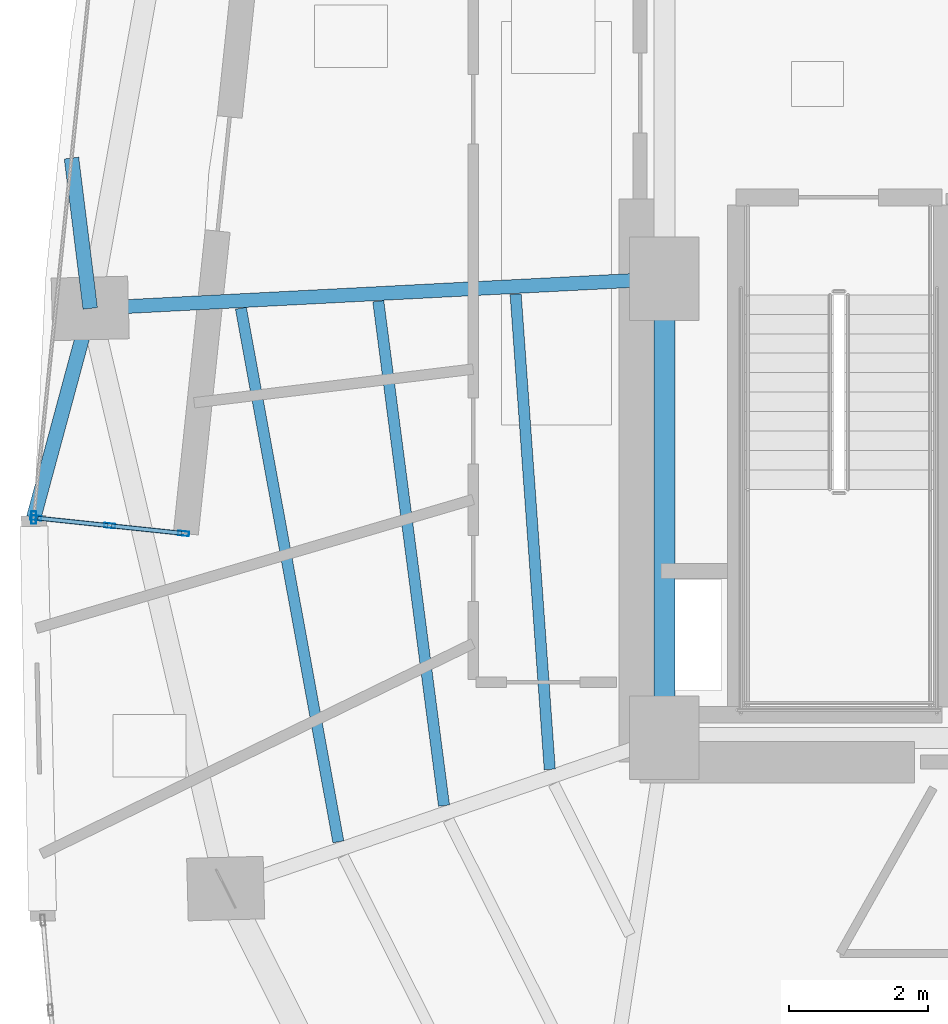
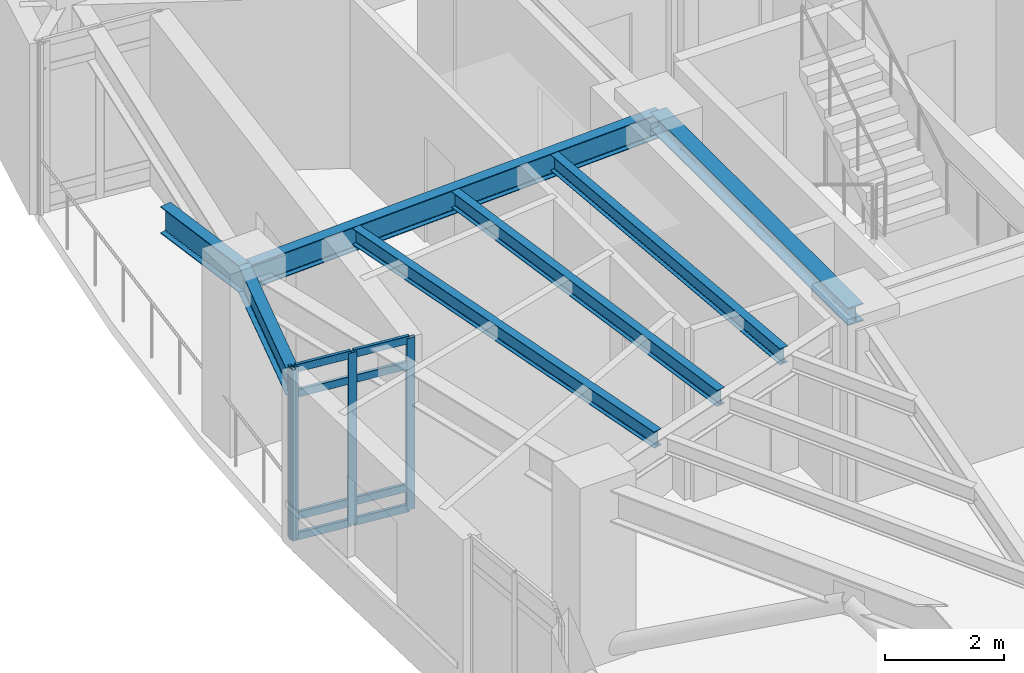
# One storey, part 4 of 16: 12 members, 7 beams, 1 element without a shape of its own.
"""IFC4 building model written with IfcOpenShell, lengths in metres."""

from ifc_helpers import new_model, si_unit, direction, frame, origin, origin_2d, place, context, subcontext, project, spatial, hollow_rectangle, i_section, extrude, material, layer, layer_set, material_profile, profile_set, type_object, element, aggregate, save


model = new_model("IFC4")

# Units and contexts
model_context = context("Model", 3, precision=1e-05, world=origin(), true_north=direction((0.0, 1.0)))
body_context = subcontext(model_context, "Body", "Model", "MODEL_VIEW")
ifc_project = project(units=[si_unit("LENGTHUNIT", "METRE"), si_unit("AREAUNIT", "SQUARE_METRE"), si_unit("VOLUMEUNIT", "CUBIC_METRE"), si_unit("PLANEANGLEUNIT", "RADIAN"), si_unit("MASSUNIT", "GRAM", prefix="KILO")], contexts=[model_context])

# Site, building, storey
site_placement = place(None, origin())
site = spatial("IfcSite", under=ifc_project, at=site_placement, CompositionType="ELEMENT")
building_placement = place(site_placement, origin())
building = spatial("IfcBuilding", under=site, at=building_placement, Name="Ndelora Gate Hotel", CompositionType="ELEMENT")
storey_placement = place(building_placement, frame((0.0, 0.0, 97.25)))
storey = spatial("IfcBuildingStorey", under=building, at=storey_placement, Name="L23", CompositionType="ELEMENT", Elevation=97.25)

# Beams
ifc_material_1 = material(Name="Steel S355", Category="steel")
ifc_material_profile_1 = material_profile(ifc_material_1, i_section(OverallWidth=0.300048828125, OverallDepth=0.360107421875, WebThickness=0.012451171875, FlangeThickness=0.0224609375, FilletRadius=0.027099609375, at=origin_2d()), Name="HEB 360")
ifc_profile_set_1 = profile_set([ifc_material_profile_1], Name="Steel S355")
beam_type_1 = type_object("IfcBeamType", Name="BM-CORE-360", PredefinedType="BEAM", material=ifc_profile_set_1)
beam_1_placement = place(storey_placement, frame((-8.0, -6.60009765625, 3.320068359375), z_axis=(0.0, 1.0, 0.0), x_axis=(-1.0, 0.0, 0.0)))
element("IfcBeam", 1, at=beam_1_placement, inside=storey, type_object=beam_type_1, Name="L23 Core Tie Girder CC1-CC8", PredefinedType="BEAM", context=body_context, shape_type="SweptSolid", body=[
    extrude(i_section(OverallWidth=0.300048828125, OverallDepth=0.360107421875, WebThickness=0.012451171875, FlangeThickness=0.0224609375, FilletRadius=0.027099609375, at=origin_2d()), origin(), (0.0, 0.0, 1.0), 6.60009765625),
])
ifc_material_profile_2 = material_profile(ifc_material_1, i_section(OverallWidth=0.159912109375, OverallDepth=0.330078125, WebThickness=0.007568359375, FlangeThickness=0.011474609375, FilletRadius=0.01806640625, at=origin_2d()), Name="IPE 330")
ifc_profile_set_2 = profile_set([ifc_material_profile_2], Name="Steel S355")
beam_type_2 = type_object("IfcBeamType", Name="BM-JST-330", PredefinedType="JOIST", material=ifc_profile_set_2)
beam_2_placement = place(storey_placement, frame((-10.138427734375, -0.220458984375, 3.3349609375), z_axis=(0.07162945927, -0.997431311201, 0.0), x_axis=(0.997431311201, 0.07162945927, 0.0)))
element("IfcBeam", 2, at=beam_2_placement, inside=storey, type_object=beam_type_2, Name="L23 Secondary Composite Floor Joist IN-3", PredefinedType="JOIST", context=body_context, shape_type="SweptSolid", body=[
    extrude(i_section(OverallWidth=0.159912109375, OverallDepth=0.330078125, WebThickness=0.007568359375, FlangeThickness=0.011474609375, FilletRadius=0.01806640625, at=origin_2d()), origin(), (0.0, 0.0, 1.0), 6.850830078125),
])
beam_3_placement = place(storey_placement, frame((-12.113525390625, -0.322021484375, 3.3349609375), z_axis=(0.12927924943, -0.991608226906, 0.0), x_axis=(0.991608226906, 0.12927924943, 0.0)))
element("IfcBeam", 3, at=beam_3_placement, inside=storey, type_object=beam_type_2, Name="L23 Secondary Composite Floor Joist MID-3", PredefinedType="JOIST", context=body_context, shape_type="SweptSolid", body=[
    extrude(i_section(OverallWidth=0.159912109375, OverallDepth=0.330078125, WebThickness=0.007568359375, FlangeThickness=0.011474609375, FilletRadius=0.01806640625, at=origin_2d()), origin(), (0.0, 0.0, 1.0), 7.31396484375),
])
beam_4_placement = place(storey_placement, frame((-14.089111328125, -0.423095703125, 3.3349609375), z_axis=(0.179733770179, -0.983715290039, 0.0), x_axis=(0.983715290039, 0.179733770179, 0.0)))
element("IfcBeam", 4, at=beam_4_placement, inside=storey, type_object=beam_type_2, Name="L23 Secondary Composite Floor Joist OUT-3", PredefinedType="JOIST", context=body_context, shape_type="SweptSolid", body=[
    extrude(i_section(OverallWidth=0.159912109375, OverallDepth=0.330078125, WebThickness=0.007568359375, FlangeThickness=0.011474609375, FilletRadius=0.01806640625, at=origin_2d()), origin(), (0.0, 0.0, 1.0), 7.799560546875),
])
ifc_material_profile_3 = material_profile(ifc_material_1, i_section(OverallWidth=0.199951171875, OverallDepth=0.5, WebThickness=0.01025390625, FlangeThickness=0.01611328125, FilletRadius=0.02099609375, at=origin_2d()), Name="IPE 500")
ifc_profile_set_3 = profile_set([ifc_material_profile_3], Name="Steel S355")
beam_type_3 = type_object("IfcBeamType", Name="BM-RAD-500", PredefinedType="BEAM", material=ifc_profile_set_3)
beam_5_placement = place(storey_placement, frame((-8.0, 0.0, 3.25), z_axis=(-0.998672591881, -0.051507807424, 0.0), x_axis=(0.051507807424, -0.998672591881, 0.0)))
element("IfcBeam", 5, at=beam_5_placement, inside=storey, type_object=beam_type_3, Name="L23 Radial Floor Girder 3", PredefinedType="BEAM", context=body_context, shape_type="SweptSolid", body=[
    extrude(i_section(OverallWidth=0.199951171875, OverallDepth=0.5, WebThickness=0.01025390625, FlangeThickness=0.01611328125, FilletRadius=0.02099609375, at=origin_2d()), origin(), (0.0, 0.0, 1.0), 8.266357421875),
])
ifc_material_profile_4 = material_profile(ifc_material_1, i_section(OverallWidth=0.2099609375, OverallDepth=0.550048828125, WebThickness=0.010986328125, FlangeThickness=0.01708984375, FilletRadius=0.02392578125, at=origin_2d()), Name="IPE 550")
ifc_profile_set_4 = profile_set([ifc_material_profile_4], Name="Steel S355")
beam_type_4 = type_object("IfcBeamType", Name="BM-RAD-550", PredefinedType="BEAM", material=ifc_profile_set_4)
beam_6_placement = place(storey_placement, frame((-16.25537109375, -0.42578125, 3.22509765625), z_axis=(-0.123565930273, 0.992336364786, 0.0), x_axis=(-0.992336364786, -0.123565930273, 0.0)))
element("IfcBeam", 6, at=beam_6_placement, inside=storey, type_object=beam_type_4, Name="L23 Sky-Garden Loggia Column Bracket 2", PredefinedType="BEAM", context=body_context, shape_type="SweptSolid", body=[
    extrude(i_section(OverallWidth=0.2099609375, OverallDepth=0.550048828125, WebThickness=0.010986328125, FlangeThickness=0.01708984375, FilletRadius=0.02392578125, at=origin_2d()), origin(), (0.0, 0.0, 1.0), 2.17919921875),
])
beam_7_placement = place(storey_placement, frame((-16.25537109375, -0.42578125, 3.22509765625), z_axis=(-0.260757109585, -0.965404438461, 0.0), x_axis=(0.965404438461, -0.260757109585, 0.0)))
element("IfcBeam", 7, at=beam_7_placement, inside=storey, type_object=beam_type_4, Name="L23 Sky-Garden Loggia Column Bracket 3", PredefinedType="BEAM", context=body_context, shape_type="SweptSolid", body=[
    extrude(i_section(OverallWidth=0.2099609375, OverallDepth=0.550048828125, WebThickness=0.010986328125, FlangeThickness=0.01708984375, FilletRadius=0.02392578125, at=origin_2d()), origin(), (0.0, 0.0, 1.0), 3.116943359375),
])

# Curtain wall, members
ifc_material_2 = material(Name="Bronze Anodised Unitised Aluminium and Low-E Glass", Category="aluminium")
ifc_layer = layer(ifc_material_2, 0.199951171875)
ifc_layer_set = layer_set([ifc_layer], Name="Bronze Anodised Unitised Aluminium and Low-E Glass")
curtain_wall_type = type_object("IfcCurtainWallType", Name="CW-SYS-3", PredefinedType="NOTDEFINED", material=ifc_layer_set)
curtain_wall_placement = place(storey_placement, origin())
curtain_wall = element("IfcCurtainWall", 8, at=curtain_wall_placement, inside=storey, type_object=curtain_wall_type, Name="L23 Sky-Garden Loggia Side Curtain Wall CW3-2", PredefinedType="NOTDEFINED")
ifc_material_3 = material(Name="Bronze Anodised Aluminium 6063-T6", Category="aluminium")
ifc_material_profile_5 = material_profile(ifc_material_3, hollow_rectangle(XDim=0.06494140625, YDim=0.159912109375, WallThickness=0.00390625, InnerFilletRadius=0.00390625, OuterFilletRadius=0.008056640625, at=origin_2d()), Name="ALU 160x65x4")
ifc_profile_set_5 = profile_set([ifc_material_profile_5], Name="Bronze Anodised Aluminium 6063-T6")
member_type_1 = type_object("IfcMemberType", Name="MB-CW-MUL150", PredefinedType="MULLION", material=ifc_profile_set_5)
member_1_placement = place(storey_placement, frame((-17.035888671875, -3.43798828125, -0.00390625), z_axis=(0.0, 0.0, 1.0), x_axis=(0.104547545416, 0.994519889569, 0.0)))
member_1 = element("IfcMember", 9, at=member_1_placement, type_object=member_type_1, Name="CW3 mullion 1", PredefinedType="MULLION", context=body_context, shape_type="SweptSolid", body=[
    extrude(hollow_rectangle(XDim=0.06494140625, YDim=0.159912109375, WallThickness=0.00390625, InnerFilletRadius=0.00390625, OuterFilletRadius=0.008056640625, at=origin_2d()), origin(), (0.0, 0.0, 1.0), 3.5078125),
])
member_2_placement = place(storey_placement, frame((-15.97412109375, -3.5498046875, -0.00390625), z_axis=(0.0, 0.0, 1.0), x_axis=(0.104547545416, 0.994519889569, 0.0)))
member_2 = element("IfcMember", 10, at=member_2_placement, type_object=member_type_1, Name="CW3 mullion 2", PredefinedType="MULLION", context=body_context, shape_type="SweptSolid", body=[
    extrude(hollow_rectangle(XDim=0.06494140625, YDim=0.159912109375, WallThickness=0.00390625, InnerFilletRadius=0.00390625, OuterFilletRadius=0.008056640625, at=origin_2d()), origin(), (0.0, 0.0, 1.0), 3.5078125),
])
member_3_placement = place(storey_placement, frame((-14.91259765625, -3.661376953125, -0.00390625), z_axis=(0.0, 0.0, 1.0), x_axis=(0.104547545416, 0.994519889569, 0.0)))
member_3 = element("IfcMember", 11, at=member_3_placement, type_object=member_type_1, Name="CW3 mullion 3", PredefinedType="MULLION", context=body_context, shape_type="SweptSolid", body=[
    extrude(hollow_rectangle(XDim=0.06494140625, YDim=0.159912109375, WallThickness=0.00390625, InnerFilletRadius=0.00390625, OuterFilletRadius=0.008056640625, at=origin_2d()), origin(), (0.0, 0.0, 1.0), 3.5078125),
])
ifc_material_profile_6 = material_profile(ifc_material_3, hollow_rectangle(XDim=0.070068359375, YDim=0.179931640625, WallThickness=0.0048828125, InnerFilletRadius=0.0048828125, OuterFilletRadius=0.010009765625, at=origin_2d()), Name="ALU 180x70x5")
ifc_profile_set_6 = profile_set([ifc_material_profile_6], Name="Bronze Anodised Aluminium 6063-T6")
member_type_2 = type_object("IfcMemberType", Name="MB-CW-MUL180", PredefinedType="MULLION", material=ifc_profile_set_6)
member_4_placement = place(storey_placement, frame((-17.068115234375, -3.434814453125, 0.0), z_axis=(0.0, 0.0, 1.0), x_axis=(1.0, 0.0, 0.0)))
member_4 = element("IfcMember", 12, at=member_4_placement, type_object=member_type_2, Name="L23 Sky-Garden Loggia Corner Mullion Post 2", PredefinedType="MULLION", context=body_context, shape_type="SweptSolid", body=[
    extrude(hollow_rectangle(XDim=0.070068359375, YDim=0.179931640625, WallThickness=0.0048828125, InnerFilletRadius=0.0048828125, OuterFilletRadius=0.010009765625, at=origin_2d()), origin(), (0.0, 0.0, 1.0), 3.5),
])
ifc_material_profile_7 = material_profile(ifc_material_3, hollow_rectangle(XDim=0.06494140625, YDim=0.159912109375, WallThickness=0.00390625, InnerFilletRadius=0.00390625, OuterFilletRadius=0.008056640625, at=origin_2d()), Name="ALU 160x65x4")
ifc_profile_set_7 = profile_set([ifc_material_profile_7], Name="Bronze Anodised Aluminium 6063-T6")
member_type_3 = type_object("IfcMemberType", Name="MB-CW-TRN150", PredefinedType="USERDEFINED", material=ifc_profile_set_7)
member_5_placement = place(storey_placement, frame((-17.009521484375, -3.44091796875, 0.032470703125), z_axis=(0.994531791991, -0.104434260277, 0.0), x_axis=(0.104434260277, 0.994531791991, 0.0)))
member_5 = element("IfcMember", 13, at=member_5_placement, type_object=member_type_3, Name="CW3 transom 1.1", ObjectType="TRANSOM", PredefinedType="USERDEFINED", context=body_context, shape_type="SweptSolid", body=[
    extrude(hollow_rectangle(XDim=0.06494140625, YDim=0.159912109375, WallThickness=0.00390625, InnerFilletRadius=0.00390625, OuterFilletRadius=0.008056640625, at=origin_2d()), origin(), (0.0, 0.0, 1.0), 1.0146484375),
])
member_6_placement = place(storey_placement, frame((-17.009521484375, -3.44091796875, 0.449951171875), z_axis=(0.994531791991, -0.104434260277, 0.0), x_axis=(0.104434260277, 0.994531791991, 0.0)))
member_6 = element("IfcMember", 14, at=member_6_placement, type_object=member_type_3, Name="CW3 transom 1.2", ObjectType="TRANSOM", PredefinedType="USERDEFINED", context=body_context, shape_type="SweptSolid", body=[
    extrude(hollow_rectangle(XDim=0.06494140625, YDim=0.159912109375, WallThickness=0.00390625, InnerFilletRadius=0.00390625, OuterFilletRadius=0.008056640625, at=origin_2d()), origin(), (0.0, 0.0, 1.0), 1.0146484375),
])
member_7_placement = place(storey_placement, frame((-17.009521484375, -3.44091796875, 2.949951171875), z_axis=(0.994531791991, -0.104434260277, 0.0), x_axis=(0.104434260277, 0.994531791991, 0.0)))
member_7 = element("IfcMember", 15, at=member_7_placement, type_object=member_type_3, Name="CW3 transom 1.3", ObjectType="TRANSOM", PredefinedType="USERDEFINED", context=body_context, shape_type="SweptSolid", body=[
    extrude(hollow_rectangle(XDim=0.06494140625, YDim=0.159912109375, WallThickness=0.00390625, InnerFilletRadius=0.00390625, OuterFilletRadius=0.008056640625, at=origin_2d()), origin(), (0.0, 0.0, 1.0), 1.0146484375),
])
member_8_placement = place(storey_placement, frame((-17.009521484375, -3.44091796875, 3.467529296875), z_axis=(0.994531791991, -0.104434260277, 0.0), x_axis=(0.104434260277, 0.994531791991, 0.0)))
member_8 = element("IfcMember", 16, at=member_8_placement, type_object=member_type_3, Name="CW3 transom 1.4", ObjectType="TRANSOM", PredefinedType="USERDEFINED", context=body_context, shape_type="SweptSolid", body=[
    extrude(hollow_rectangle(XDim=0.06494140625, YDim=0.159912109375, WallThickness=0.00390625, InnerFilletRadius=0.00390625, OuterFilletRadius=0.008056640625, at=origin_2d()), origin(), (0.0, 0.0, 1.0), 1.0146484375),
])
member_9_placement = place(storey_placement, frame((-15.94775390625, -3.552490234375, 0.032470703125), z_axis=(0.994529166593, -0.104459259027, 0.0), x_axis=(0.104459259027, 0.994529166593, 0.0)))
member_9 = element("IfcMember", 17, at=member_9_placement, type_object=member_type_3, Name="CW3 transom 2.1", ObjectType="TRANSOM", PredefinedType="USERDEFINED", context=body_context, shape_type="SweptSolid", body=[
    extrude(hollow_rectangle(XDim=0.06494140625, YDim=0.159912109375, WallThickness=0.00390625, InnerFilletRadius=0.00390625, OuterFilletRadius=0.008056640625, at=origin_2d()), origin(), (0.0, 0.0, 1.0), 1.014404296875),
])
member_10_placement = place(storey_placement, frame((-15.94775390625, -3.552490234375, 0.449951171875), z_axis=(0.994529166593, -0.104459259027, 0.0), x_axis=(0.104459259027, 0.994529166593, 0.0)))
member_10 = element("IfcMember", 18, at=member_10_placement, type_object=member_type_3, Name="CW3 transom 2.2", ObjectType="TRANSOM", PredefinedType="USERDEFINED", context=body_context, shape_type="SweptSolid", body=[
    extrude(hollow_rectangle(XDim=0.06494140625, YDim=0.159912109375, WallThickness=0.00390625, InnerFilletRadius=0.00390625, OuterFilletRadius=0.008056640625, at=origin_2d()), origin(), (0.0, 0.0, 1.0), 1.014404296875),
])
member_11_placement = place(storey_placement, frame((-15.94775390625, -3.552490234375, 2.949951171875), z_axis=(0.994529166593, -0.104459259027, 0.0), x_axis=(0.104459259027, 0.994529166593, 0.0)))
member_11 = element("IfcMember", 19, at=member_11_placement, type_object=member_type_3, Name="CW3 transom 2.3", ObjectType="TRANSOM", PredefinedType="USERDEFINED", context=body_context, shape_type="SweptSolid", body=[
    extrude(hollow_rectangle(XDim=0.06494140625, YDim=0.159912109375, WallThickness=0.00390625, InnerFilletRadius=0.00390625, OuterFilletRadius=0.008056640625, at=origin_2d()), origin(), (0.0, 0.0, 1.0), 1.014404296875),
])
member_12_placement = place(storey_placement, frame((-15.94775390625, -3.552490234375, 3.467529296875), z_axis=(0.994529166593, -0.104459259027, 0.0), x_axis=(0.104459259027, 0.994529166593, 0.0)))
member_12 = element("IfcMember", 20, at=member_12_placement, type_object=member_type_3, Name="CW3 transom 2.4", ObjectType="TRANSOM", PredefinedType="USERDEFINED", context=body_context, shape_type="SweptSolid", body=[
    extrude(hollow_rectangle(XDim=0.06494140625, YDim=0.159912109375, WallThickness=0.00390625, InnerFilletRadius=0.00390625, OuterFilletRadius=0.008056640625, at=origin_2d()), origin(), (0.0, 0.0, 1.0), 1.014404296875),
])
aggregate(curtain_wall, [member_1, member_2, member_3, member_5, member_6, member_7, member_8, member_9, member_10, member_11, member_12, member_4])

save(model, "model.ifc")
